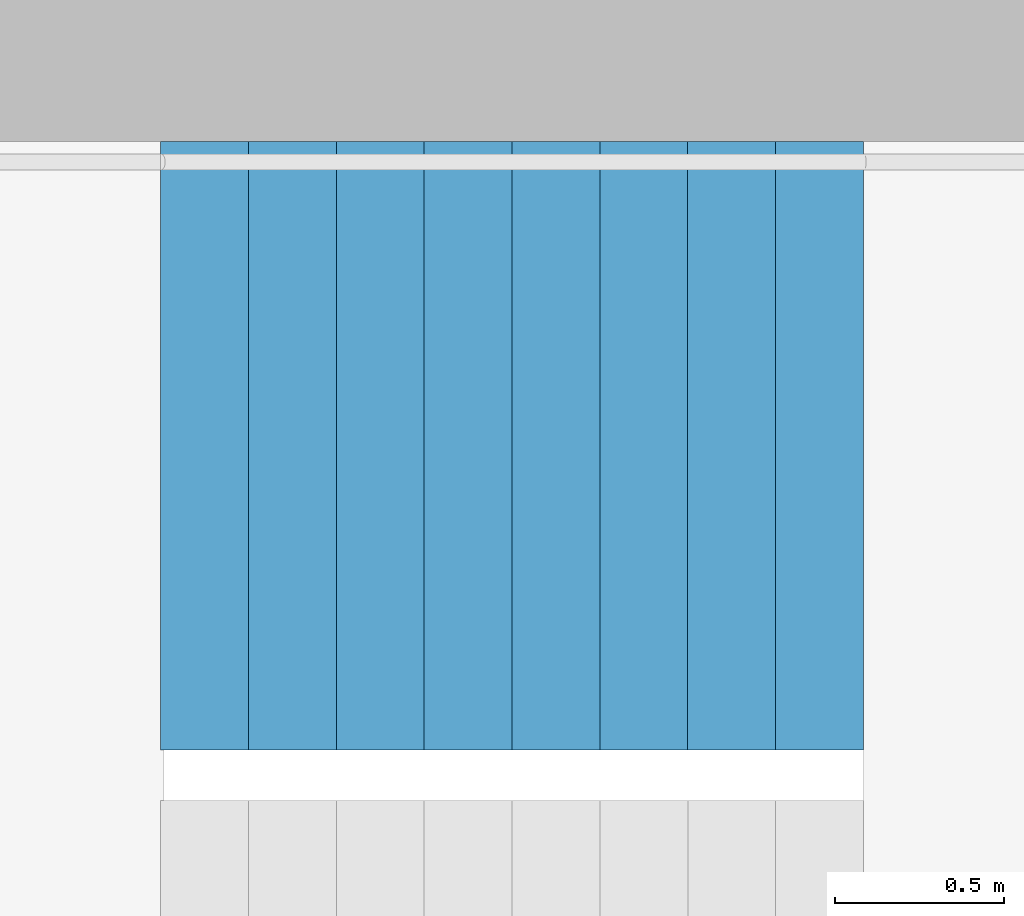
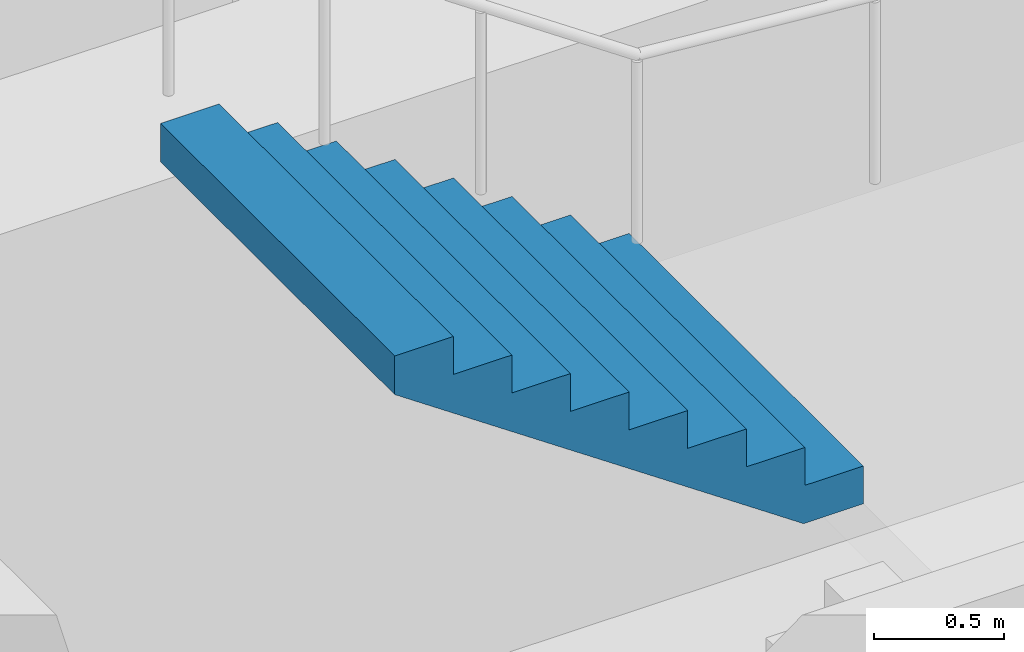
# One storey, part 21 of 26: 1 stair flight, 1 element without a shape of its own.
"""IFC4 building model written with IfcOpenShell, lengths in metres."""

from ifc_helpers import new_model, si_unit, direction, frame, origin, place, context, subcontext, project, spatial, triangles, material, type_object, element, aggregate, save


model = new_model("IFC4")

# Units and contexts
model_context = context("Model", 3, precision=1e-05, world=origin(), true_north=direction((0.0, 1.0)))
body_context = subcontext(model_context, "Body", "Model", "MODEL_VIEW")
ifc_project = project(units=[si_unit("LENGTHUNIT", "METRE"), si_unit("AREAUNIT", "SQUARE_METRE"), si_unit("VOLUMEUNIT", "CUBIC_METRE"), si_unit("PLANEANGLEUNIT", "RADIAN"), si_unit("MASSUNIT", "GRAM", prefix="KILO")], contexts=[model_context])

# Site, building, storey
site_placement = place(None, origin())
site = spatial("IfcSite", under=ifc_project, at=site_placement, CompositionType="ELEMENT")
building_placement = place(site_placement, origin())
building = spatial("IfcBuilding", under=site, at=building_placement, Name="Hakoniwa Tower and Hamabe Station Hall", CompositionType="ELEMENT")
storey_placement = place(building_placement, frame((0.0, 0.0, 134.199951171875)))
storey = spatial("IfcBuildingStorey", under=building, at=storey_placement, Name="L37", CompositionType="ELEMENT", Elevation=134.199951171875)

# Stair, stair flight
ifc_material_1 = material(Name="Concrete C40", Category="concrete")
stair_type = type_object("IfcStairType", Name="ESCAPE STAIR 1800", PredefinedType="HALF_TURN_STAIR", material=ifc_material_1)
stair_placement = place(storey_placement, origin())
stair = element("IfcStair", 1, at=stair_placement, inside=storey, type_object=stair_type, Name="Escape stair ST-1 L37", PredefinedType="HALF_TURN_STAIR")
ifc_material_2 = material(Name="Concrete C40", Category="concrete")
stair_flight_type = type_object("IfcStairFlightType", Name="STAIR FLIGHT 1800", PredefinedType="STRAIGHT", material=ifc_material_2)
stair_flight_placement = place(storey_placement, frame((-22.320068359375, 6.60009765625, 1.60009765625), z_axis=(0.0, 0.0, 1.0), x_axis=(-1.0, 0.0, 0.0)))
stair_flight = element("IfcStairFlight", 2, at=stair_flight_placement, type_object=stair_flight_type, Name="ST-1 flight 2", NumberOfRisers=9, NumberOfTreads=8, PredefinedType="STRAIGHT", RiserHeight=0.177777778, TreadLength=0.26, context=body_context, shape_type="Tessellation", body=[
    triangles([(0.0, 0.89990234375, 0.0), (0.260009765625, 0.89990234375, 0.0), (0.265625, 0.89990234375, 0.0), (0.52001953125, 0.89990234375, 0.174072265625), (0.780029296875, 0.89990234375, 0.351806640625), (1.0400390625, 0.89990234375, 0.529541015625), (1.300048828125, 0.89990234375, 0.707275390625), (1.56005859375, 0.89990234375, 0.885009765625), (1.820068359375, 0.89990234375, 1.062744140625), (2.080078125, 0.89990234375, 1.24072265625), (2.080078125, 0.89990234375, 1.422119140625), (1.820068359375, 0.89990234375, 1.422119140625), (1.820068359375, 0.89990234375, 1.244384765625), (1.56005859375, 0.89990234375, 1.244384765625), (1.56005859375, 0.89990234375, 1.066650390625), (1.300048828125, 0.89990234375, 1.066650390625), (1.300048828125, 0.89990234375, 0.888916015625), (1.0400390625, 0.89990234375, 0.888916015625), (1.0400390625, 0.89990234375, 0.711181640625), (0.780029296875, 0.89990234375, 0.711181640625), (0.780029296875, 0.89990234375, 0.533447265625), (0.52001953125, 0.89990234375, 0.533447265625), (0.52001953125, 0.89990234375, 0.35546875), (0.265625, 0.89990234375, 0.35546875), (0.260009765625, 0.89990234375, 0.35546875), (0.260009765625, 0.89990234375, 0.177734375), (0.0, 0.89990234375, 0.177734375), (0.0, 0.06005859375, 0.0), (0.260009765625, 0.06005859375, 0.0), (0.265625, 0.06005859375, 0.0), (0.52001953125, 0.06005859375, 0.174072265625), (0.780029296875, 0.06005859375, 0.351806640625), (1.0400390625, 0.06005859375, 0.529541015625), (1.300048828125, 0.06005859375, 0.707275390625), (1.56005859375, 0.06005859375, 0.885009765625), (1.820068359375, 0.06005859375, 1.062744140625), (2.080078125, 0.06005859375, 1.24072265625), (2.080078125, 0.06005859375, 1.422119140625), (1.820068359375, 0.06005859375, 1.422119140625), (1.820068359375, 0.06005859375, 1.244384765625), (1.56005859375, 0.06005859375, 1.244384765625), (1.56005859375, 0.06005859375, 1.066650390625), (1.300048828125, 0.06005859375, 1.066650390625), (1.300048828125, 0.06005859375, 0.888916015625), (1.0400390625, 0.06005859375, 0.888916015625), (1.0400390625, 0.06005859375, 0.711181640625), (0.780029296875, 0.06005859375, 0.711181640625), (0.780029296875, 0.06005859375, 0.533447265625), (0.52001953125, 0.06005859375, 0.533447265625), (0.52001953125, 0.06005859375, 0.35546875), (0.265625, 0.06005859375, 0.35546875), (0.260009765625, 0.06005859375, 0.35546875), (0.260009765625, 0.06005859375, 0.177734375), (0.0, 0.06005859375, 0.177734375), (0.0, 0.04296875, 0.0), (0.260009765625, 0.04296875, 0.0), (0.265625, 0.04296875, 0.0), (0.52001953125, 0.04296875, 0.174072265625), (0.780029296875, 0.04296875, 0.351806640625), (1.0400390625, 0.04296875, 0.529541015625), (1.300048828125, 0.04296875, 0.707275390625), (1.56005859375, 0.04296875, 0.885009765625), (1.820068359375, 0.04296875, 1.062744140625), (2.080078125, 0.04296875, 1.24072265625), (2.080078125, 0.04296875, 1.422119140625), (1.820068359375, 0.04296875, 1.422119140625), (1.820068359375, 0.04296875, 1.244384765625), (1.56005859375, 0.04296875, 1.244384765625), (1.56005859375, 0.04296875, 1.066650390625), (1.300048828125, 0.04296875, 1.066650390625), (1.300048828125, 0.04296875, 0.888916015625), (1.0400390625, 0.04296875, 0.888916015625), (1.0400390625, 0.04296875, 0.711181640625), (0.780029296875, 0.04296875, 0.711181640625), (0.780029296875, 0.04296875, 0.533447265625), (0.52001953125, 0.04296875, 0.533447265625), (0.52001953125, 0.04296875, 0.35546875), (0.265625, 0.04296875, 0.35546875), (0.260009765625, 0.04296875, 0.35546875), (0.260009765625, 0.04296875, 0.177734375), (0.0, 0.04296875, 0.177734375), (0.0, 0.025634765625, 0.0), (0.260009765625, 0.025634765625, 0.0), (0.265625, 0.025634765625, 0.0), (0.52001953125, 0.025634765625, 0.174072265625), (0.780029296875, 0.025634765625, 0.351806640625), (1.0400390625, 0.025634765625, 0.529541015625), (1.300048828125, 0.025634765625, 0.707275390625), (1.56005859375, 0.025634765625, 0.885009765625), (1.820068359375, 0.025634765625, 1.062744140625), (2.080078125, 0.025634765625, 1.24072265625), (2.080078125, 0.025634765625, 1.422119140625), (1.820068359375, 0.025634765625, 1.422119140625), (1.820068359375, 0.025634765625, 1.244384765625), (1.56005859375, 0.025634765625, 1.244384765625), (1.56005859375, 0.025634765625, 1.066650390625), (1.300048828125, 0.025634765625, 1.066650390625), (1.300048828125, 0.025634765625, 0.888916015625), (1.0400390625, 0.025634765625, 0.888916015625), (1.0400390625, 0.025634765625, 0.711181640625), (0.780029296875, 0.025634765625, 0.711181640625), (0.780029296875, 0.025634765625, 0.533447265625), (0.52001953125, 0.025634765625, 0.533447265625), (0.52001953125, 0.025634765625, 0.35546875), (0.265625, 0.025634765625, 0.35546875), (0.260009765625, 0.025634765625, 0.35546875), (0.260009765625, 0.025634765625, 0.177734375), (0.0, 0.025634765625, 0.177734375), (0.0, 0.008544921875, 0.0), (0.260009765625, 0.008544921875, 0.0), (0.265625, 0.008544921875, 0.0), (0.52001953125, 0.008544921875, 0.174072265625), (0.780029296875, 0.008544921875, 0.351806640625), (1.0400390625, 0.008544921875, 0.529541015625), (1.300048828125, 0.008544921875, 0.707275390625), (1.56005859375, 0.008544921875, 0.885009765625), (1.820068359375, 0.008544921875, 1.062744140625), (2.080078125, 0.008544921875, 1.24072265625), (2.080078125, 0.008544921875, 1.422119140625), (1.820068359375, 0.008544921875, 1.422119140625), (1.820068359375, 0.008544921875, 1.244384765625), (1.56005859375, 0.008544921875, 1.244384765625), (1.56005859375, 0.008544921875, 1.066650390625), (1.300048828125, 0.008544921875, 1.066650390625), (1.300048828125, 0.008544921875, 0.888916015625), (1.0400390625, 0.008544921875, 0.888916015625), (1.0400390625, 0.008544921875, 0.711181640625), (0.780029296875, 0.008544921875, 0.711181640625), (0.780029296875, 0.008544921875, 0.533447265625), (0.52001953125, 0.008544921875, 0.533447265625), (0.52001953125, 0.008544921875, 0.35546875), (0.265625, 0.008544921875, 0.35546875), (0.260009765625, 0.008544921875, 0.35546875), (0.260009765625, 0.008544921875, 0.177734375), (0.0, 0.008544921875, 0.177734375), (0.0, -0.008544921875, 0.0), (0.260009765625, -0.008544921875, 0.0), (0.265625, -0.008544921875, 0.0), (0.52001953125, -0.008544921875, 0.174072265625), (0.780029296875, -0.008544921875, 0.351806640625), (1.0400390625, -0.008544921875, 0.529541015625), (1.300048828125, -0.008544921875, 0.707275390625), (1.56005859375, -0.008544921875, 0.885009765625), (1.820068359375, -0.008544921875, 1.062744140625), (2.080078125, -0.008544921875, 1.24072265625), (2.080078125, -0.008544921875, 1.422119140625), (1.820068359375, -0.008544921875, 1.422119140625), (1.820068359375, -0.008544921875, 1.244384765625), (1.56005859375, -0.008544921875, 1.244384765625), (1.56005859375, -0.008544921875, 1.066650390625), (1.300048828125, -0.008544921875, 1.066650390625), (1.300048828125, -0.008544921875, 0.888916015625), (1.0400390625, -0.008544921875, 0.888916015625), (1.0400390625, -0.008544921875, 0.711181640625), (0.780029296875, -0.008544921875, 0.711181640625), (0.780029296875, -0.008544921875, 0.533447265625), (0.52001953125, -0.008544921875, 0.533447265625), (0.52001953125, -0.008544921875, 0.35546875), (0.265625, -0.008544921875, 0.35546875), (0.260009765625, -0.008544921875, 0.35546875), (0.260009765625, -0.008544921875, 0.177734375), (0.0, -0.008544921875, 0.177734375), (0.0, -0.025634765625, 0.0), (0.260009765625, -0.025634765625, 0.0), (0.265625, -0.025634765625, 0.0), (0.52001953125, -0.025634765625, 0.174072265625), (0.780029296875, -0.025634765625, 0.351806640625), (1.0400390625, -0.025634765625, 0.529541015625), (1.300048828125, -0.025634765625, 0.707275390625), (1.56005859375, -0.025634765625, 0.885009765625), (1.820068359375, -0.025634765625, 1.062744140625), (2.080078125, -0.025634765625, 1.24072265625), (2.080078125, -0.025634765625, 1.422119140625), (1.820068359375, -0.025634765625, 1.422119140625), (1.820068359375, -0.025634765625, 1.244384765625), (1.56005859375, -0.025634765625, 1.244384765625), (1.56005859375, -0.025634765625, 1.066650390625), (1.300048828125, -0.025634765625, 1.066650390625), (1.300048828125, -0.025634765625, 0.888916015625), (1.0400390625, -0.025634765625, 0.888916015625), (1.0400390625, -0.025634765625, 0.711181640625), (0.780029296875, -0.025634765625, 0.711181640625), (0.780029296875, -0.025634765625, 0.533447265625), (0.52001953125, -0.025634765625, 0.533447265625), (0.52001953125, -0.025634765625, 0.35546875), (0.265625, -0.025634765625, 0.35546875), (0.260009765625, -0.025634765625, 0.35546875), (0.260009765625, -0.025634765625, 0.177734375), (0.0, -0.025634765625, 0.177734375), (0.0, -0.04296875, 0.0), (0.260009765625, -0.04296875, 0.0), (0.265625, -0.04296875, 0.0), (0.52001953125, -0.04296875, 0.174072265625), (0.780029296875, -0.04296875, 0.351806640625), (1.0400390625, -0.04296875, 0.529541015625), (1.300048828125, -0.04296875, 0.707275390625), (1.56005859375, -0.04296875, 0.885009765625), (1.820068359375, -0.04296875, 1.062744140625), (2.080078125, -0.04296875, 1.24072265625), (2.080078125, -0.04296875, 1.422119140625), (1.820068359375, -0.04296875, 1.422119140625), (1.820068359375, -0.04296875, 1.244384765625), (1.56005859375, -0.04296875, 1.244384765625), (1.56005859375, -0.04296875, 1.066650390625), (1.300048828125, -0.04296875, 1.066650390625), (1.300048828125, -0.04296875, 0.888916015625), (1.0400390625, -0.04296875, 0.888916015625), (1.0400390625, -0.04296875, 0.711181640625), (0.780029296875, -0.04296875, 0.711181640625), (0.780029296875, -0.04296875, 0.533447265625), (0.52001953125, -0.04296875, 0.533447265625), (0.52001953125, -0.04296875, 0.35546875), (0.265625, -0.04296875, 0.35546875), (0.260009765625, -0.04296875, 0.35546875), (0.260009765625, -0.04296875, 0.177734375), (0.0, -0.04296875, 0.177734375), (0.0, -0.06005859375, 0.0), (0.260009765625, -0.06005859375, 0.0), (0.265625, -0.06005859375, 0.0), (0.52001953125, -0.06005859375, 0.174072265625), (0.780029296875, -0.06005859375, 0.351806640625), (1.0400390625, -0.06005859375, 0.529541015625), (1.300048828125, -0.06005859375, 0.707275390625), (1.56005859375, -0.06005859375, 0.885009765625), (1.820068359375, -0.06005859375, 1.062744140625), (2.080078125, -0.06005859375, 1.24072265625), (2.080078125, -0.06005859375, 1.422119140625), (1.820068359375, -0.06005859375, 1.422119140625), (1.820068359375, -0.06005859375, 1.244384765625), (1.56005859375, -0.06005859375, 1.244384765625), (1.56005859375, -0.06005859375, 1.066650390625), (1.300048828125, -0.06005859375, 1.066650390625), (1.300048828125, -0.06005859375, 0.888916015625), (1.0400390625, -0.06005859375, 0.888916015625), (1.0400390625, -0.06005859375, 0.711181640625), (0.780029296875, -0.06005859375, 0.711181640625), (0.780029296875, -0.06005859375, 0.533447265625), (0.52001953125, -0.06005859375, 0.533447265625), (0.52001953125, -0.06005859375, 0.35546875), (0.265625, -0.06005859375, 0.35546875), (0.260009765625, -0.06005859375, 0.35546875), (0.260009765625, -0.06005859375, 0.177734375), (0.0, -0.06005859375, 0.177734375), (0.0, -0.89990234375, 0.0), (0.260009765625, -0.89990234375, 0.0), (0.265625, -0.89990234375, 0.0), (0.52001953125, -0.89990234375, 0.174072265625), (0.780029296875, -0.89990234375, 0.351806640625), (1.0400390625, -0.89990234375, 0.529541015625), (1.300048828125, -0.89990234375, 0.707275390625), (1.56005859375, -0.89990234375, 0.885009765625), (1.820068359375, -0.89990234375, 1.062744140625), (2.080078125, -0.89990234375, 1.24072265625), (2.080078125, -0.89990234375, 1.422119140625), (1.820068359375, -0.89990234375, 1.422119140625), (1.820068359375, -0.89990234375, 1.244384765625), (1.56005859375, -0.89990234375, 1.244384765625), (1.56005859375, -0.89990234375, 1.066650390625), (1.300048828125, -0.89990234375, 1.066650390625), (1.300048828125, -0.89990234375, 0.888916015625), (1.0400390625, -0.89990234375, 0.888916015625), (1.0400390625, -0.89990234375, 0.711181640625), (0.780029296875, -0.89990234375, 0.711181640625), (0.780029296875, -0.89990234375, 0.533447265625), (0.52001953125, -0.89990234375, 0.533447265625), (0.52001953125, -0.89990234375, 0.35546875), (0.265625, -0.89990234375, 0.35546875), (0.260009765625, -0.89990234375, 0.35546875), (0.260009765625, -0.89990234375, 0.177734375), (0.0, -0.89990234375, 0.177734375)], [[2, 27, 26], [245, 269, 270], [2, 1, 27], [245, 270, 244], [3, 25, 24], [246, 267, 268], [3, 26, 25], [246, 268, 269], [3, 2, 26], [246, 269, 245], [4, 24, 23], [247, 266, 267], [4, 3, 24], [247, 267, 246], [5, 22, 21], [248, 264, 265], [5, 23, 22], [248, 265, 266], [5, 4, 23], [248, 266, 247], [6, 20, 19], [249, 262, 263], [6, 21, 20], [249, 263, 264], [6, 5, 21], [249, 264, 248], [7, 18, 17], [250, 260, 261], [7, 19, 18], [250, 261, 262], [7, 6, 19], [250, 262, 249], [8, 16, 15], [251, 258, 259], [8, 17, 16], [251, 259, 260], [8, 7, 17], [251, 260, 250], [9, 14, 13], [252, 256, 257], [9, 15, 14], [252, 257, 258], [9, 8, 15], [252, 258, 251], [10, 12, 11], [253, 254, 255], [10, 13, 12], [253, 255, 256], [10, 9, 13], [253, 256, 252], [1, 2, 29], [1, 29, 28], [28, 29, 56], [28, 56, 55], [55, 56, 83], [55, 83, 82], [82, 83, 110], [82, 110, 109], [109, 110, 137], [109, 137, 136], [136, 137, 164], [136, 164, 163], [163, 164, 191], [163, 191, 190], [190, 191, 218], [190, 218, 217], [217, 218, 245], [217, 245, 244], [2, 3, 30], [2, 30, 29], [29, 30, 57], [29, 57, 56], [56, 57, 84], [56, 84, 83], [83, 84, 111], [83, 111, 110], [110, 111, 138], [110, 138, 137], [137, 138, 165], [137, 165, 164], [164, 165, 192], [164, 192, 191], [191, 192, 219], [191, 219, 218], [218, 219, 246], [218, 246, 245], [3, 4, 31], [3, 31, 30], [30, 31, 58], [30, 58, 57], [57, 58, 85], [57, 85, 84], [84, 85, 112], [84, 112, 111], [111, 112, 139], [111, 139, 138], [138, 139, 166], [138, 166, 165], [165, 166, 193], [165, 193, 192], [192, 193, 220], [192, 220, 219], [219, 220, 247], [219, 247, 246], [4, 5, 32], [4, 32, 31], [31, 32, 59], [31, 59, 58], [58, 59, 86], [58, 86, 85], [85, 86, 113], [85, 113, 112], [112, 113, 140], [112, 140, 139], [139, 140, 167], [139, 167, 166], [166, 167, 194], [166, 194, 193], [193, 194, 221], [193, 221, 220], [220, 221, 248], [220, 248, 247], [5, 6, 33], [5, 33, 32], [32, 33, 60], [32, 60, 59], [59, 60, 87], [59, 87, 86], [86, 87, 114], [86, 114, 113], [113, 114, 141], [113, 141, 140], [140, 141, 168], [140, 168, 167], [167, 168, 195], [167, 195, 194], [194, 195, 222], [194, 222, 221], [221, 222, 249], [221, 249, 248], [6, 7, 34], [6, 34, 33], [33, 34, 61], [33, 61, 60], [60, 61, 88], [60, 88, 87], [87, 88, 115], [87, 115, 114], [114, 115, 142], [114, 142, 141], [141, 142, 169], [141, 169, 168], [168, 169, 196], [168, 196, 195], [195, 196, 223], [195, 223, 222], [222, 223, 250], [222, 250, 249], [7, 8, 35], [7, 35, 34], [34, 35, 62], [34, 62, 61], [61, 62, 89], [61, 89, 88], [88, 89, 116], [88, 116, 115], [115, 116, 143], [115, 143, 142], [142, 143, 170], [142, 170, 169], [169, 170, 197], [169, 197, 196], [196, 197, 224], [196, 224, 223], [223, 224, 251], [223, 251, 250], [8, 9, 36], [8, 36, 35], [35, 36, 63], [35, 63, 62], [62, 63, 90], [62, 90, 89], [89, 90, 117], [89, 117, 116], [116, 117, 144], [116, 144, 143], [143, 144, 171], [143, 171, 170], [170, 171, 198], [170, 198, 197], [197, 198, 225], [197, 225, 224], [224, 225, 252], [224, 252, 251], [9, 10, 37], [9, 37, 36], [36, 37, 64], [36, 64, 63], [63, 64, 91], [63, 91, 90], [90, 91, 118], [90, 118, 117], [117, 118, 145], [117, 145, 144], [144, 145, 172], [144, 172, 171], [171, 172, 199], [171, 199, 198], [198, 199, 226], [198, 226, 225], [225, 226, 253], [225, 253, 252], [10, 11, 38], [10, 38, 37], [37, 38, 65], [37, 65, 64], [64, 65, 92], [64, 92, 91], [91, 92, 119], [91, 119, 118], [118, 119, 146], [118, 146, 145], [145, 146, 173], [145, 173, 172], [172, 173, 200], [172, 200, 199], [199, 200, 227], [199, 227, 226], [226, 227, 254], [226, 254, 253], [11, 12, 39], [11, 39, 38], [38, 39, 66], [38, 66, 65], [65, 66, 93], [65, 93, 92], [92, 93, 120], [92, 120, 119], [119, 120, 147], [119, 147, 146], [146, 147, 174], [146, 174, 173], [173, 174, 201], [173, 201, 200], [200, 201, 228], [200, 228, 227], [227, 228, 255], [227, 255, 254], [12, 13, 40], [12, 40, 39], [39, 40, 67], [39, 67, 66], [66, 67, 94], [66, 94, 93], [93, 94, 121], [93, 121, 120], [120, 121, 148], [120, 148, 147], [147, 148, 175], [147, 175, 174], [174, 175, 202], [174, 202, 201], [201, 202, 229], [201, 229, 228], [228, 229, 256], [228, 256, 255], [13, 14, 41], [13, 41, 40], [40, 41, 68], [40, 68, 67], [67, 68, 95], [67, 95, 94], [94, 95, 122], [94, 122, 121], [121, 122, 149], [121, 149, 148], [148, 149, 176], [148, 176, 175], [175, 176, 203], [175, 203, 202], [202, 203, 230], [202, 230, 229], [229, 230, 257], [229, 257, 256], [14, 15, 42], [14, 42, 41], [41, 42, 69], [41, 69, 68], [68, 69, 96], [68, 96, 95], [95, 96, 123], [95, 123, 122], [122, 123, 150], [122, 150, 149], [149, 150, 177], [149, 177, 176], [176, 177, 204], [176, 204, 203], [203, 204, 231], [203, 231, 230], [230, 231, 258], [230, 258, 257], [15, 16, 43], [15, 43, 42], [42, 43, 70], [42, 70, 69], [69, 70, 97], [69, 97, 96], [96, 97, 124], [96, 124, 123], [123, 124, 151], [123, 151, 150], [150, 151, 178], [150, 178, 177], [177, 178, 205], [177, 205, 204], [204, 205, 232], [204, 232, 231], [231, 232, 259], [231, 259, 258], [16, 17, 44], [16, 44, 43], [43, 44, 71], [43, 71, 70], [70, 71, 98], [70, 98, 97], [97, 98, 125], [97, 125, 124], [124, 125, 152], [124, 152, 151], [151, 152, 179], [151, 179, 178], [178, 179, 206], [178, 206, 205], [205, 206, 233], [205, 233, 232], [232, 233, 260], [232, 260, 259], [17, 18, 45], [17, 45, 44], [44, 45, 72], [44, 72, 71], [71, 72, 99], [71, 99, 98], [98, 99, 126], [98, 126, 125], [125, 126, 153], [125, 153, 152], [152, 153, 180], [152, 180, 179], [179, 180, 207], [179, 207, 206], [206, 207, 234], [206, 234, 233], [233, 234, 261], [233, 261, 260], [18, 19, 46], [18, 46, 45], [45, 46, 73], [45, 73, 72], [72, 73, 100], [72, 100, 99], [99, 100, 127], [99, 127, 126], [126, 127, 154], [126, 154, 153], [153, 154, 181], [153, 181, 180], [180, 181, 208], [180, 208, 207], [207, 208, 235], [207, 235, 234], [234, 235, 262], [234, 262, 261], [19, 20, 47], [19, 47, 46], [46, 47, 74], [46, 74, 73], [73, 74, 101], [73, 101, 100], [100, 101, 128], [100, 128, 127], [127, 128, 155], [127, 155, 154], [154, 155, 182], [154, 182, 181], [181, 182, 209], [181, 209, 208], [208, 209, 236], [208, 236, 235], [235, 236, 263], [235, 263, 262], [20, 21, 48], [20, 48, 47], [47, 48, 75], [47, 75, 74], [74, 75, 102], [74, 102, 101], [101, 102, 129], [101, 129, 128], [128, 129, 156], [128, 156, 155], [155, 156, 183], [155, 183, 182], [182, 183, 210], [182, 210, 209], [209, 210, 237], [209, 237, 236], [236, 237, 264], [236, 264, 263], [21, 22, 49], [21, 49, 48], [48, 49, 76], [48, 76, 75], [75, 76, 103], [75, 103, 102], [102, 103, 130], [102, 130, 129], [129, 130, 157], [129, 157, 156], [156, 157, 184], [156, 184, 183], [183, 184, 211], [183, 211, 210], [210, 211, 238], [210, 238, 237], [237, 238, 265], [237, 265, 264], [22, 23, 50], [22, 50, 49], [49, 50, 77], [49, 77, 76], [76, 77, 104], [76, 104, 103], [103, 104, 131], [103, 131, 130], [130, 131, 158], [130, 158, 157], [157, 158, 185], [157, 185, 184], [184, 185, 212], [184, 212, 211], [211, 212, 239], [211, 239, 238], [238, 239, 266], [238, 266, 265], [23, 24, 51], [23, 51, 50], [50, 51, 78], [50, 78, 77], [77, 78, 105], [77, 105, 104], [104, 105, 132], [104, 132, 131], [131, 132, 159], [131, 159, 158], [158, 159, 186], [158, 186, 185], [185, 186, 213], [185, 213, 212], [212, 213, 240], [212, 240, 239], [239, 240, 267], [239, 267, 266], [24, 25, 52], [24, 52, 51], [51, 52, 79], [51, 79, 78], [78, 79, 106], [78, 106, 105], [105, 106, 133], [105, 133, 132], [132, 133, 160], [132, 160, 159], [159, 160, 187], [159, 187, 186], [186, 187, 214], [186, 214, 213], [213, 214, 241], [213, 241, 240], [240, 241, 268], [240, 268, 267], [25, 26, 53], [25, 53, 52], [52, 53, 80], [52, 80, 79], [79, 80, 107], [79, 107, 106], [106, 107, 134], [106, 134, 133], [133, 134, 161], [133, 161, 160], [160, 161, 188], [160, 188, 187], [187, 188, 215], [187, 215, 214], [214, 215, 242], [214, 242, 241], [241, 242, 269], [241, 269, 268], [26, 27, 54], [26, 54, 53], [53, 54, 81], [53, 81, 80], [80, 81, 108], [80, 108, 107], [107, 108, 135], [107, 135, 134], [134, 135, 162], [134, 162, 161], [161, 162, 189], [161, 189, 188], [188, 189, 216], [188, 216, 215], [215, 216, 243], [215, 243, 242], [242, 243, 270], [242, 270, 269], [27, 1, 28], [27, 28, 54], [54, 28, 55], [54, 55, 81], [81, 55, 82], [81, 82, 108], [108, 82, 109], [108, 109, 135], [135, 109, 136], [135, 136, 162], [162, 136, 163], [162, 163, 189], [189, 163, 190], [189, 190, 216], [216, 190, 217], [216, 217, 243], [243, 217, 244], [243, 244, 270]], closed=True),
])
aggregate(stair, [stair_flight])

save(model, "model.ifc")
